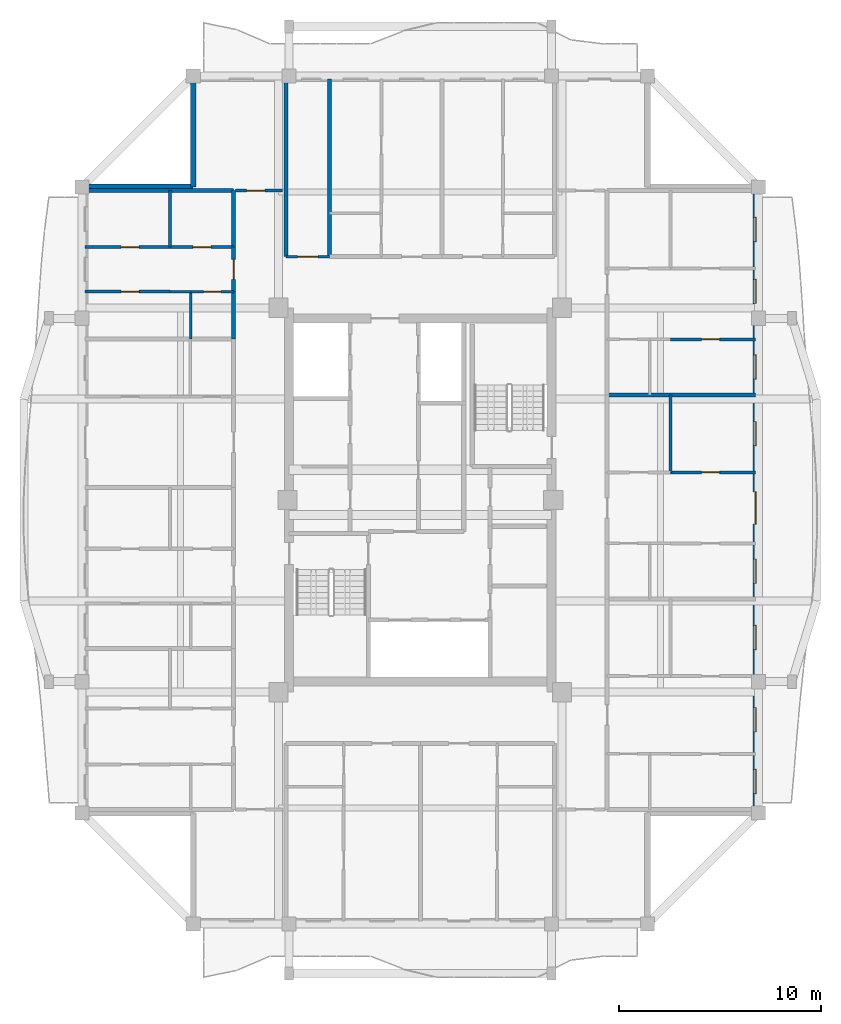
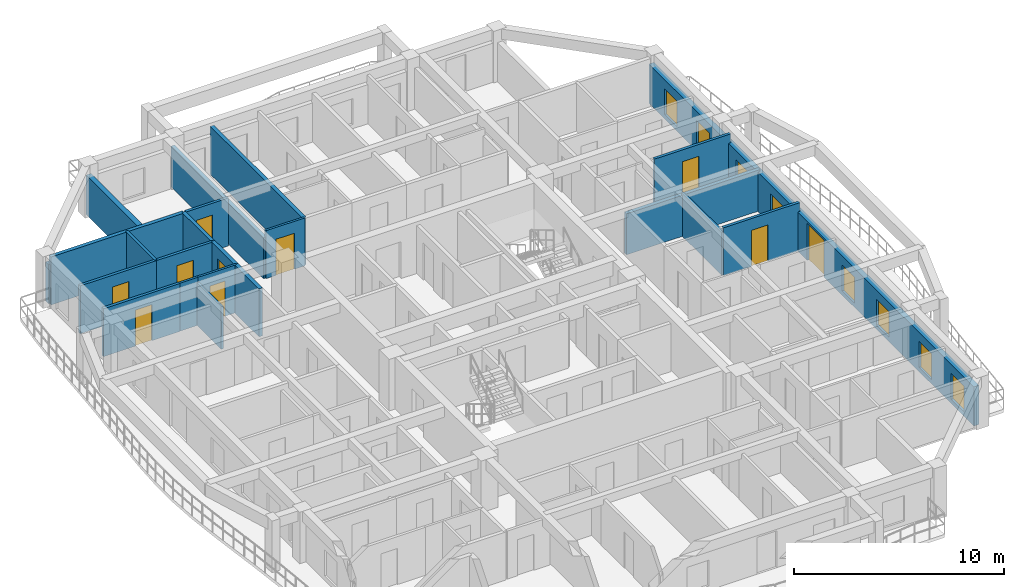
# One storey, part 6 of 14: 22 walls, 10 doors, 8 windows, 18 openings.
"""IFC4 building model written with IfcOpenShell, lengths in metres."""

from ifc_helpers import new_model, si_unit, direction, frame, frame_2d, origin, place, context, subcontext, project, spatial, rectangle, extrude, source, transform, mapped, material, layer, layer_set, type_object, element, fill, save


model = new_model("IFC4")

# Units and contexts
model_context = context("Model", 3, precision=1e-05, world=origin(), true_north=direction((0.0, 1.0)))
body_context = subcontext(model_context, "Body", "Model", "MODEL_VIEW")
ifc_project = project(units=[si_unit("LENGTHUNIT", "METRE"), si_unit("AREAUNIT", "SQUARE_METRE"), si_unit("VOLUMEUNIT", "CUBIC_METRE"), si_unit("PLANEANGLEUNIT", "RADIAN"), si_unit("MASSUNIT", "GRAM", prefix="KILO")], contexts=[model_context])

# Site, building, storey
site_placement = place(None, origin())
site = spatial("IfcSite", under=ifc_project, at=site_placement, CompositionType="ELEMENT")
building_placement = place(site_placement, origin())
building = spatial("IfcBuilding", under=site, at=building_placement, Name="Saelheon Loggia Tower", CompositionType="ELEMENT")
storey_placement = place(building_placement, frame((0.0, 0.0, 230.10009765625)))
storey = spatial("IfcBuildingStorey", under=building, at=storey_placement, Name="L71", CompositionType="ELEMENT", Elevation=230.10009765625)

# Wall, openings, windows, door
ifc_material_1 = material(Name="Architectural Precast Concrete C40/50", Category="concrete")
ifc_layer_1 = layer(ifc_material_1, 0.280029296875)
ifc_layer_set_1 = layer_set([ifc_layer_1], Name="Architectural Precast Concrete C40/50")
wall_type_1 = type_object("IfcWallType", Name="Wall_Ext_Loggia_280", PredefinedType="SOLIDWALL", material=ifc_layer_set_1)
wall_1_placement = place(storey_placement, frame((54.610107421875, 11.5, 0.0), z_axis=(0.0, 0.0, 1.0), x_axis=(0.0, 1.0, 0.0)))
wall_1 = element("IfcWall", 1, at=wall_1_placement, inside=storey, type_object=wall_type_1, Name="L71 East Loggia Inner Wall", PredefinedType="SOLIDWALL", context=body_context, shape_type="SweptSolid", body=[
    extrude(rectangle(XDim=31.0, YDim=0.280029296875, at=frame_2d((15.5, 0.0))), origin(), (0.0, 0.0, 1.0), 2.27978515625),
])
opening_1_placement = place(wall_1_placement, frame((0.9599609375, 0.0, 0.25)))
opening_1 = element("IfcOpeningElement", 2, at=opening_1_placement, cuts=wall_1, Name="Opening WN-03", PredefinedType="OPENING", context=body_context, shape_type="SweptSolid", body=[
    extrude(rectangle(XDim=1.199951171875, YDim=1.5, at=frame_2d((0.60009765625, 0.75))), frame((0.0, 0.152099609375, 0.0), z_axis=(0.0, -1.0, 0.0), x_axis=(1.0, 0.0, 0.0)), (0.0, 0.0, 1.0), 0.303955078125),
])
opening_2_placement = place(wall_1_placement, frame((4.02001953125, 0.0, 0.25)))
opening_2 = element("IfcOpeningElement", 3, at=opening_2_placement, cuts=wall_1, Name="Opening WN-03", PredefinedType="OPENING", context=body_context, shape_type="SweptSolid", body=[
    extrude(rectangle(XDim=1.199951171875, YDim=1.5, at=frame_2d((0.60009765625, 0.75))), frame((0.0, 0.152099609375, 0.0), z_axis=(0.0, -1.0, 0.0), x_axis=(1.0, 0.0, 0.0)), (0.0, 0.0, 1.0), 0.303955078125),
])
opening_3_placement = place(wall_1_placement, frame((8.0888671875, 0.0, 0.25)))
opening_3 = element("IfcOpeningElement", 4, at=opening_3_placement, cuts=wall_1, Name="Opening WN-03", PredefinedType="OPENING", context=body_context, shape_type="SweptSolid", body=[
    extrude(rectangle(XDim=1.199951171875, YDim=1.5, at=frame_2d((0.60009765625, 0.75))), frame((0.0, 0.152099609375, 0.0), z_axis=(0.0, -1.0, 0.0), x_axis=(1.0, 0.0, 0.0)), (0.0, 0.0, 1.0), 0.303955078125),
])
opening_4_placement = place(wall_1_placement, frame((11.37255859375, 0.0, 0.25)))
opening_4 = element("IfcOpeningElement", 5, at=opening_4_placement, cuts=wall_1, Name="Opening WN-03", PredefinedType="OPENING", context=body_context, shape_type="SweptSolid", body=[
    extrude(rectangle(XDim=1.199951171875, YDim=1.5, at=frame_2d((0.60009765625, 0.75))), frame((0.0, 0.152099609375, 0.0), z_axis=(0.0, -1.0, 0.0), x_axis=(1.0, 0.0, 0.0)), (0.0, 0.0, 1.0), 0.303955078125),
])
opening_5_placement = place(wall_1_placement, frame((15.906982421875, 0.0, 0.0), z_axis=(0.0, 0.0, 1.0), x_axis=(-1.0, 0.0, 0.0)))
opening_5 = element("IfcOpeningElement", 6, at=opening_5_placement, cuts=wall_1, Name="Opening DLG-1", PredefinedType="OPENING", context=body_context, shape_type="SweptSolid", body=[
    extrude(rectangle(XDim=1.60009765625, YDim=2.14990234375, at=frame_2d((0.800048828125, 1.074951171875))), frame((0.0, 0.152099609375, 0.0), z_axis=(0.0, -1.0, 0.0), x_axis=(1.0, 0.0, 0.0)), (0.0, 0.0, 1.0), 0.303955078125),
])
opening_6_placement = place(wall_1_placement, frame((18.1875, 0.0, 0.25)))
opening_6 = element("IfcOpeningElement", 7, at=opening_6_placement, cuts=wall_1, Name="Opening WN-03", PredefinedType="OPENING", context=body_context, shape_type="SweptSolid", body=[
    extrude(rectangle(XDim=1.199951171875, YDim=1.5, at=frame_2d((0.60009765625, 0.75))), frame((0.0, 0.152099609375, 0.0), z_axis=(0.0, -1.0, 0.0), x_axis=(1.0, 0.0, 0.0)), (0.0, 0.0, 1.0), 0.303955078125),
])
opening_7_placement = place(wall_1_placement, frame((21.48388671875, 0.0, 0.25)))
opening_7 = element("IfcOpeningElement", 8, at=opening_7_placement, cuts=wall_1, Name="Opening WN-03", PredefinedType="OPENING", context=body_context, shape_type="SweptSolid", body=[
    extrude(rectangle(XDim=1.199951171875, YDim=1.5, at=frame_2d((0.60009765625, 0.75))), frame((0.0, 0.152099609375, 0.0), z_axis=(0.0, -1.0, 0.0), x_axis=(1.0, 0.0, 0.0)), (0.0, 0.0, 1.0), 0.303955078125),
])
opening_8_placement = place(wall_1_placement, frame((25.23388671875, 0.0, 0.25)))
opening_8 = element("IfcOpeningElement", 9, at=opening_8_placement, cuts=wall_1, Name="Opening WN-03", PredefinedType="OPENING", context=body_context, shape_type="SweptSolid", body=[
    extrude(rectangle(XDim=1.199951171875, YDim=1.5, at=frame_2d((0.60009765625, 0.75))), frame((0.0, 0.152099609375, 0.0), z_axis=(0.0, -1.0, 0.0), x_axis=(1.0, 0.0, 0.0)), (0.0, 0.0, 1.0), 0.303955078125),
])
opening_9_placement = place(wall_1_placement, frame((28.293701171875, 0.0, 0.25)))
opening_9 = element("IfcOpeningElement", 10, at=opening_9_placement, cuts=wall_1, Name="Opening WN-03", PredefinedType="OPENING", context=body_context, shape_type="SweptSolid", body=[
    extrude(rectangle(XDim=1.199951171875, YDim=1.5, at=frame_2d((0.60009765625, 0.75))), frame((0.0, 0.152099609375, 0.0), z_axis=(0.0, -1.0, 0.0), x_axis=(1.0, 0.0, 0.0)), (0.0, 0.0, 1.0), 0.303955078125),
])
ifc_material_2 = material(Name="Thermal-Break Aluminium and Triple Low-E Glass", Category="aluminium")
window_type = type_object("IfcWindowType", Name="Win_Bedroom_1200x1500", PartitioningType="SINGLE_PANEL", PredefinedType="WINDOW", material=ifc_material_2)
shared_shape_1 = source(origin(), body_context, "Body", "SweptSolid", [
    extrude(rectangle(XDim=1.199951171875, YDim=1.5, at=frame_2d((0.60009765625, 0.75))), frame((0.0, 0.030029296875, 0.0), z_axis=(0.0, -1.0, 0.0), x_axis=(1.0, 0.0, 0.0)), (0.0, 0.0, 1.0), 0.06005859375),
])
window_1_placement = place(opening_1_placement, origin())
window_1 = element("IfcWindow", 11, at=window_1_placement, inside=storey, type_object=window_type, Name="L71 E Dwelling Window 1", OverallHeight=1.5, OverallWidth=1.199951171875, PartitioningType="SINGLE_PANEL", PredefinedType="WINDOW", context=body_context, shape_type="MappedRepresentation", body=[
    mapped(shared_shape_1, transform((0.0, 0.0, 0.0), scale=1.0)),
])
fill(opening_1, window_1)
window_2_placement = place(opening_2_placement, origin())
window_2 = element("IfcWindow", 12, at=window_2_placement, inside=storey, type_object=window_type, Name="L71 E Dwelling Window 2", OverallHeight=1.5, OverallWidth=1.199951171875, PartitioningType="SINGLE_PANEL", PredefinedType="WINDOW", context=body_context, shape_type="MappedRepresentation", body=[
    mapped(shared_shape_1, transform((0.0, 0.0, 0.0), scale=1.0)),
])
fill(opening_2, window_2)
window_3_placement = place(opening_3_placement, origin())
window_3 = element("IfcWindow", 13, at=window_3_placement, inside=storey, type_object=window_type, Name="L71 E Dwelling Window 3", OverallHeight=1.5, OverallWidth=1.199951171875, PartitioningType="SINGLE_PANEL", PredefinedType="WINDOW", context=body_context, shape_type="MappedRepresentation", body=[
    mapped(shared_shape_1, transform((0.0, 0.0, 0.0), scale=1.0)),
])
fill(opening_3, window_3)
window_4_placement = place(opening_4_placement, origin())
window_4 = element("IfcWindow", 14, at=window_4_placement, inside=storey, type_object=window_type, Name="L71 E Dwelling Window 4", OverallHeight=1.5, OverallWidth=1.199951171875, PartitioningType="SINGLE_PANEL", PredefinedType="WINDOW", context=body_context, shape_type="MappedRepresentation", body=[
    mapped(shared_shape_1, transform((0.0, 0.0, 0.0), scale=1.0)),
])
fill(opening_4, window_4)
window_5_placement = place(opening_6_placement, origin())
window_5 = element("IfcWindow", 15, at=window_5_placement, inside=storey, type_object=window_type, Name="L71 E Dwelling Window 6", OverallHeight=1.5, OverallWidth=1.199951171875, PartitioningType="SINGLE_PANEL", PredefinedType="WINDOW", context=body_context, shape_type="MappedRepresentation", body=[
    mapped(shared_shape_1, transform((0.0, 0.0, 0.0), scale=1.0)),
])
fill(opening_6, window_5)
window_6_placement = place(opening_7_placement, origin())
window_6 = element("IfcWindow", 16, at=window_6_placement, inside=storey, type_object=window_type, Name="L71 E Dwelling Window 7", OverallHeight=1.5, OverallWidth=1.199951171875, PartitioningType="SINGLE_PANEL", PredefinedType="WINDOW", context=body_context, shape_type="MappedRepresentation", body=[
    mapped(shared_shape_1, transform((0.0, 0.0, 0.0), scale=1.0)),
])
fill(opening_7, window_6)
window_7_placement = place(opening_8_placement, origin())
window_7 = element("IfcWindow", 17, at=window_7_placement, inside=storey, type_object=window_type, Name="L71 E Dwelling Window 8", OverallHeight=1.5, OverallWidth=1.199951171875, PartitioningType="SINGLE_PANEL", PredefinedType="WINDOW", context=body_context, shape_type="MappedRepresentation", body=[
    mapped(shared_shape_1, transform((0.0, 0.0, 0.0), scale=1.0)),
])
fill(opening_8, window_7)
window_8_placement = place(opening_9_placement, origin())
window_8 = element("IfcWindow", 18, at=window_8_placement, inside=storey, type_object=window_type, Name="L71 E Dwelling Window 9", OverallHeight=1.5, OverallWidth=1.199951171875, PartitioningType="SINGLE_PANEL", PredefinedType="WINDOW", context=body_context, shape_type="MappedRepresentation", body=[
    mapped(shared_shape_1, transform((0.0, 0.0, 0.0), scale=1.0)),
])
fill(opening_9, window_8)
ifc_material_3 = material(Name="Thermal-Break Aluminium Sliding Glazed Door", Category="aluminium")
door_type_1 = type_object("IfcDoorType", Name="Door_LoggiaSlide_1600", OperationType="SLIDING_TO_LEFT", PredefinedType="DOOR", material=ifc_material_3)
shared_shape_2 = source(origin(), body_context, "Body", "SweptSolid", [
    extrude(rectangle(XDim=1.60009765625, YDim=2.14990234375, at=frame_2d((0.800048828125, 1.074951171875))), frame((0.0, 0.02490234375, 0.0), z_axis=(0.0, -1.0, 0.0), x_axis=(1.0, 0.0, 0.0)), (0.0, 0.0, 1.0), 0.050048828125),
])
door_1_placement = place(opening_5_placement, origin())
door_1 = element("IfcDoor", 19, at=door_1_placement, inside=storey, type_object=door_type_1, Name="L71 E Loggia Access Door", OperationType="SLIDING_TO_LEFT", OverallHeight=2.14990234375, OverallWidth=1.60009765625, PredefinedType="DOOR", context=body_context, shape_type="MappedRepresentation", body=[
    mapped(shared_shape_2, transform((0.0, 0.0, 0.0), scale=1.0)),
])
fill(opening_5, door_1)

# Walls
for number, where, z_axis, x_axis, name in (
    (20, (26.75, 42.5, 0.0), (0.0, 0.0, 1.0), (0.0, 1.0, 0.0), "L71 Corner Notch Precast Wall NW1"),
    (21, (21.330078125, 42.5, 0.0), (0.0, 0.0, 1.0), (1.0, 0.0, 0.0), "L71 Corner Notch Precast Wall NW2"),
):
    element("IfcWall", number, at=place(storey_placement, frame(where, z_axis=z_axis, x_axis=x_axis)), inside=storey, type_object=wall_type_1, Name=name, PredefinedType="SOLIDWALL", context=body_context, shape_type="SweptSolid", body=[
        extrude(rectangle(XDim=5.419921875, YDim=0.280029296875, at=frame_2d((2.7099609375, 0.0))), origin(), (0.0, 0.0, 1.0), 2.27978515625),
    ])

# Wall, opening, door
ifc_material_4 = material(Name="Lightweight Autoclaved Aerated Concrete Block and Acoustic Gypsum", Category="concrete")
ifc_layer_2 = layer(ifc_material_4, 0.14990234375)
ifc_layer_set_2 = layer_set([ifc_layer_2], Name="Lightweight Autoclaved Aerated Concrete Block and Acoustic Gypsum")
wall_type_2 = type_object("IfcWallType", Name="Wall_Part_150", PredefinedType="PARTITIONING", material=ifc_layer_set_2)
wall_2_placement = place(storey_placement, frame((28.85009765625, 42.320068359375, 0.0), z_axis=(0.0, 0.0, 1.0), x_axis=(1.0, 0.0, 0.0)))
wall_2 = element("IfcWall", 22, at=wall_2_placement, inside=storey, type_object=wall_type_2, Name="PW-L71-CNW-H", PredefinedType="PARTITIONING", context=body_context, shape_type="SweptSolid", body=[
    extrude(rectangle(XDim=2.329833984375, YDim=0.14990234375, at=frame_2d((1.1650390625, 0.0))), origin(), (0.0, 0.0, 1.0), 2.789794921875),
])
opening_10_placement = place(wall_2_placement, frame((0.550048828125, 0.0, 0.0)))
opening_10 = element("IfcOpeningElement", 23, at=opening_10_placement, cuts=wall_2, Name="Opening D-IN2", PredefinedType="OPENING", context=body_context, shape_type="SweptSolid", body=[
    extrude(rectangle(XDim=0.89990234375, YDim=2.10009765625, at=frame_2d((0.449951171875, 1.050048828125))), frame((0.0, 0.0869140625, 0.0), z_axis=(0.0, -1.0, 0.0), x_axis=(1.0, 0.0, 0.0)), (0.0, 0.0, 1.0), 0.173828125),
])
ifc_material_5 = material(Name="Engineered Oak Flush Door", Category="timber")
door_type_2 = type_object("IfcDoorType", Name="Door_Int_900", OperationType="NOTDEFINED", PredefinedType="DOOR", material=ifc_material_5)
shared_shape_3 = source(origin(), body_context, "Body", "SweptSolid", [
    extrude(rectangle(XDim=0.89990234375, YDim=2.10009765625, at=frame_2d((0.449951171875, 1.050048828125))), frame((0.0, 0.02490234375, 0.0), z_axis=(0.0, -1.0, 0.0), x_axis=(1.0, 0.0, 0.0)), (0.0, 0.0, 1.0), 0.050048828125),
])
door_2_placement = place(opening_10_placement, origin())
door_2 = element("IfcDoor", 24, at=door_2_placement, inside=storey, type_object=door_type_2, Name="L71 Corner Home Office NW Door", OperationType="SINGLE_SWING_RIGHT", OverallHeight=2.10009765625, OverallWidth=0.89990234375, PredefinedType="DOOR", context=body_context, shape_type="MappedRepresentation", body=[
    mapped(shared_shape_3, transform((0.0, 0.0, 0.0), scale=1.0)),
])
fill(opening_10, door_2)

# Wall
wall_3_placement = place(storey_placement, frame((25.610107421875, 39.525634765625, 0.0), z_axis=(0.0, 0.0, 1.0), x_axis=(0.0, 1.0, 0.0)))
element("IfcWall", 25, at=wall_3_placement, inside=storey, type_object=wall_type_2, Name="L71 W Partition V36", PredefinedType="PARTITIONING", context=body_context, shape_type="SweptSolid", body=[
    extrude(rectangle(XDim=2.79443359375, YDim=0.14990234375, at=frame_2d((1.397216796875, 0.0))), origin(), (0.0, 0.0, 1.0), 2.789794921875),
])

# Wall, opening, door
wall_4_placement = place(storey_placement, frame((25.610107421875, 37.320068359375, 0.0), z_axis=(0.0, 0.0, 1.0), x_axis=(-1.0, 0.0, 0.0)))
wall_4 = element("IfcWall", 26, at=wall_4_placement, inside=storey, type_object=wall_type_2, Name="L71 W Partition U39", PredefinedType="PARTITIONING", context=body_context, shape_type="SweptSolid", body=[
    extrude(rectangle(XDim=4.210205078125, YDim=0.14990234375, at=frame_2d((2.10498046875, 0.0))), origin(), (0.0, 0.0, 1.0), 2.789794921875),
])
opening_11_placement = place(wall_4_placement, frame((1.537109375, 0.0, 0.0)))
opening_11 = element("IfcOpeningElement", 27, at=opening_11_placement, cuts=wall_4, Name="Opening D-IN2", PredefinedType="OPENING", context=body_context, shape_type="SweptSolid", body=[
    extrude(rectangle(XDim=0.89990234375, YDim=2.10009765625, at=frame_2d((0.449951171875, 1.050048828125))), frame((0.0, 0.0869140625, 0.0), z_axis=(0.0, -1.0, 0.0), x_axis=(1.0, 0.0, 0.0)), (0.0, 0.0, 1.0), 0.173828125),
])
door_3_placement = place(opening_11_placement, origin())
door_3 = element("IfcDoor", 28, at=door_3_placement, inside=storey, type_object=door_type_2, Name="Unit U08 Kitchen Door", OperationType="SINGLE_SWING_LEFT", OverallHeight=2.10009765625, OverallWidth=0.89990234375, PredefinedType="DOOR", context=body_context, shape_type="MappedRepresentation", body=[
    mapped(shared_shape_3, transform((0.0, 0.0, 0.0), scale=1.0)),
])
fill(opening_11, door_3)

wall_5_placement = place(storey_placement, frame((28.75, 39.525634765625, 0.0), z_axis=(0.0, 0.0, 1.0), x_axis=(-1.0, 0.0, 0.0)))
wall_5 = element("IfcWall", 29, at=wall_5_placement, inside=storey, type_object=wall_type_2, Name="L71 W Partition U40", PredefinedType="PARTITIONING", context=body_context, shape_type="SweptSolid", body=[
    extrude(rectangle(XDim=3.139892578125, YDim=0.14990234375, at=frame_2d((1.56982421875, 0.0))), origin(), (0.0, 0.0, 1.0), 2.789794921875),
])
opening_12_placement = place(wall_5_placement, frame((1.1201171875, 0.0, 0.0)))
opening_12 = element("IfcOpeningElement", 30, at=opening_12_placement, cuts=wall_5, Name="Opening D-IN2", PredefinedType="OPENING", context=body_context, shape_type="SweptSolid", body=[
    extrude(rectangle(XDim=0.89990234375, YDim=2.10009765625, at=frame_2d((0.449951171875, 1.050048828125))), frame((0.0, 0.0869140625, 0.0), z_axis=(0.0, -1.0, 0.0), x_axis=(1.0, 0.0, 0.0)), (0.0, 0.0, 1.0), 0.173828125),
])
door_4_placement = place(opening_12_placement, origin())
door_4 = element("IfcDoor", 31, at=door_4_placement, inside=storey, type_object=door_type_2, Name="Unit U08 Dressing Closet Door", OperationType="SINGLE_SWING_RIGHT", OverallHeight=2.10009765625, OverallWidth=0.89990234375, PredefinedType="DOOR", context=body_context, shape_type="MappedRepresentation", body=[
    mapped(shared_shape_3, transform((0.0, 0.0, 0.0), scale=1.0)),
])
fill(opening_12, door_4)

wall_6_placement = place(storey_placement, frame((25.610107421875, 39.525634765625, 0.0), z_axis=(0.0, 0.0, 1.0), x_axis=(-1.0, 0.0, 0.0)))
wall_6 = element("IfcWall", 32, at=wall_6_placement, inside=storey, type_object=wall_type_2, Name="L71 W Partition U41", PredefinedType="PARTITIONING", context=body_context, shape_type="SweptSolid", body=[
    extrude(rectangle(XDim=4.210205078125, YDim=0.14990234375, at=frame_2d((2.10498046875, 0.0))), origin(), (0.0, 0.0, 1.0), 2.789794921875),
])
opening_13_placement = place(wall_6_placement, frame((1.537109375, 0.0, 0.0)))
opening_13 = element("IfcOpeningElement", 33, at=opening_13_placement, cuts=wall_6, Name="Opening D-IN2", PredefinedType="OPENING", context=body_context, shape_type="SweptSolid", body=[
    extrude(rectangle(XDim=0.89990234375, YDim=2.10009765625, at=frame_2d((0.449951171875, 1.050048828125))), frame((0.0, 0.0869140625, 0.0), z_axis=(0.0, -1.0, 0.0), x_axis=(1.0, 0.0, 0.0)), (0.0, 0.0, 1.0), 0.173828125),
])
door_5_placement = place(opening_13_placement, origin())
door_5 = element("IfcDoor", 34, at=door_5_placement, inside=storey, type_object=door_type_2, Name="Unit U08 Bedroom 1 Door", OperationType="SINGLE_SWING_LEFT", OverallHeight=2.10009765625, OverallWidth=0.89990234375, PredefinedType="DOOR", context=body_context, shape_type="MappedRepresentation", body=[
    mapped(shared_shape_3, transform((0.0, 0.0, 0.0), scale=1.0)),
])
fill(opening_13, door_5)

# Wall
wall_7_placement = place(storey_placement, frame((50.389892578125, 28.366455078125, 0.0), z_axis=(0.0, 0.0, 1.0), x_axis=(0.0, 1.0, 0.0)))
element("IfcWall", 35, at=wall_7_placement, inside=storey, type_object=wall_type_2, Name="L71 E Partition V18", PredefinedType="PARTITIONING", context=body_context, shape_type="SweptSolid", body=[
    extrude(rectangle(XDim=3.84228515625, YDim=0.14990234375, at=frame_2d((1.921142578125, 0.0))), origin(), (0.0, 0.0, 1.0), 2.489990234375),
])

# Wall, opening, door
wall_8_placement = place(storey_placement, frame((50.389892578125, 28.366455078125, 0.0), z_axis=(0.0, 0.0, 1.0), x_axis=(1.0, 0.0, 0.0)))
wall_8 = element("IfcWall", 36, at=wall_8_placement, inside=storey, type_object=wall_type_2, Name="L71 E Partition U23", PredefinedType="PARTITIONING", context=body_context, shape_type="SweptSolid", body=[
    extrude(rectangle(XDim=4.210205078125, YDim=0.14990234375, at=frame_2d((2.10498046875, 0.0))), origin(), (0.0, 0.0, 1.0), 2.789794921875),
])
opening_14_placement = place(wall_8_placement, frame((1.537109375, 0.0, 0.0)))
opening_14 = element("IfcOpeningElement", 37, at=opening_14_placement, cuts=wall_8, Name="Opening D-IN2", PredefinedType="OPENING", context=body_context, shape_type="SweptSolid", body=[
    extrude(rectangle(XDim=0.89990234375, YDim=2.10009765625, at=frame_2d((0.449951171875, 1.050048828125))), frame((0.0, 0.0869140625, 0.0), z_axis=(0.0, -1.0, 0.0), x_axis=(1.0, 0.0, 0.0)), (0.0, 0.0, 1.0), 0.173828125),
])
door_6_placement = place(opening_14_placement, origin())
door_6 = element("IfcDoor", 38, at=door_6_placement, inside=storey, type_object=door_type_2, Name="Unit U10 Bedroom 1 Door", OperationType="SINGLE_SWING_LEFT", OverallHeight=2.10009765625, OverallWidth=0.89990234375, PredefinedType="DOOR", context=body_context, shape_type="MappedRepresentation", body=[
    mapped(shared_shape_3, transform((0.0, 0.0, 0.0), scale=1.0)),
])
fill(opening_14, door_6)

wall_9_placement = place(storey_placement, frame((50.389892578125, 34.958740234375, 0.0), z_axis=(0.0, 0.0, 1.0), x_axis=(1.0, 0.0, 0.0)))
wall_9 = element("IfcWall", 39, at=wall_9_placement, inside=storey, type_object=wall_type_2, Name="L71 E Partition U32", PredefinedType="PARTITIONING", context=body_context, shape_type="SweptSolid", body=[
    extrude(rectangle(XDim=4.210205078125, YDim=0.14990234375, at=frame_2d((2.10498046875, 0.0))), origin(), (0.0, 0.0, 1.0), 2.789794921875),
])
opening_15_placement = place(wall_9_placement, frame((1.537109375, 0.0, 0.0)))
opening_15 = element("IfcOpeningElement", 40, at=opening_15_placement, cuts=wall_9, Name="Opening D-IN2", PredefinedType="OPENING", context=body_context, shape_type="SweptSolid", body=[
    extrude(rectangle(XDim=0.89990234375, YDim=2.10009765625, at=frame_2d((0.449951171875, 1.050048828125))), frame((0.0, 0.0869140625, 0.0), z_axis=(0.0, -1.0, 0.0), x_axis=(1.0, 0.0, 0.0)), (0.0, 0.0, 1.0), 0.173828125),
])
door_7_placement = place(opening_15_placement, origin())
door_7 = element("IfcDoor", 41, at=door_7_placement, inside=storey, type_object=door_type_2, Name="Unit U11 Kitchen Door", OperationType="SINGLE_SWING_RIGHT", OverallHeight=2.10009765625, OverallWidth=0.89990234375, PredefinedType="DOOR", context=body_context, shape_type="MappedRepresentation", body=[
    mapped(shared_shape_3, transform((0.0, 0.0, 0.0), scale=1.0)),
])
fill(opening_15, door_7)

# Walls
ifc_material_6 = material(Name="Double Acoustic Stud and Fireboard Partition", Category="gypsum")
ifc_layer_3 = layer(ifc_material_6, 0.199951171875)
ifc_layer_set_3 = layer_set([ifc_layer_3], Name="Double Acoustic Stud and Fireboard Partition")
wall_type_3 = type_object("IfcWallType", Name="Wall_Party_200", PredefinedType="PARTITIONING", material=ifc_layer_set_3)
wall_10_placement = place(storey_placement, frame((31.35009765625, 39.050048828125, 0.0), z_axis=(0.0, 0.0, 1.0), x_axis=(0.0, 1.0, 0.0)))
element("IfcWall", 42, at=wall_10_placement, inside=storey, type_object=wall_type_3, Name="L71 N Partition U01", PredefinedType="PARTITIONING", context=body_context, shape_type="SweptSolid", body=[
    extrude(rectangle(XDim=8.800048828125, YDim=0.199951171875, at=frame_2d((4.39990234375, 0.0))), origin(), (0.0, 0.0, 1.0), 2.389892578125),
])
wall_11_placement = place(storey_placement, frame((33.5, 39.050048828125, 0.0), z_axis=(0.0, 0.0, 1.0), x_axis=(0.0, 1.0, 0.0)))
element("IfcWall", 43, at=wall_11_placement, inside=storey, type_object=wall_type_3, Name="L71 N Partition U03", PredefinedType="PARTITIONING", context=body_context, shape_type="SweptSolid", body=[
    extrude(rectangle(XDim=8.800048828125, YDim=0.199951171875, at=frame_2d((4.39990234375, 0.0))), origin(), (0.0, 0.0, 1.0), 2.789794921875),
])
wall_12_placement = place(storey_placement, frame((28.75, 42.320068359375, 0.0), z_axis=(0.0, 0.0, 1.0), x_axis=(-1.0, 0.0, 0.0)))
element("IfcWall", 44, at=wall_12_placement, inside=storey, type_object=wall_type_3, Name="L71 W Partition U02", PredefinedType="PARTITIONING", context=body_context, shape_type="SweptSolid", body=[
    extrude(rectangle(XDim=7.35009765625, YDim=0.199951171875, at=frame_2d((3.675048828125, 0.0))), origin(), (0.0, 0.0, 1.0), 2.789794921875),
])
wall_13_placement = place(storey_placement, frame((28.75, 34.96630859375, 0.0), z_axis=(0.0, 0.0, 1.0), x_axis=(0.0, 1.0, 0.0)))
element("IfcWall", 45, at=wall_13_placement, inside=storey, type_object=wall_type_3, Name="L71 W Partition V32", PredefinedType="PARTITIONING", context=body_context, shape_type="SweptSolid", body=[
    extrude(rectangle(XDim=2.353759765625, YDim=0.199951171875, at=frame_2d((1.1767578125, 0.0))), origin(), (0.0, 0.0, 1.0), 2.789794921875),
])

# Wall, opening, door
wall_14_placement = place(storey_placement, frame((28.75, 37.320068359375, 0.0), z_axis=(0.0, 0.0, 1.0), x_axis=(0.0, 1.0, 0.0)))
wall_14 = element("IfcWall", 46, at=wall_14_placement, inside=storey, type_object=wall_type_3, Name="L71 W Partition V33", PredefinedType="PARTITIONING", context=body_context, shape_type="SweptSolid", body=[
    extrude(rectangle(XDim=2.20556640625, YDim=0.199951171875, at=frame_2d((1.102783203125, 0.0))), origin(), (0.0, 0.0, 1.0), 2.789794921875),
])
opening_16_placement = place(wall_14_placement, frame((0.602783203125, 0.0, 0.0)))
opening_16 = element("IfcOpeningElement", 47, at=opening_16_placement, cuts=wall_14, Name="Opening D-FD1", PredefinedType="OPENING", context=body_context, shape_type="SweptSolid", body=[
    extrude(rectangle(XDim=1.0, YDim=2.14990234375, at=frame_2d((0.5, 1.074951171875))), frame((0.0, 0.112060546875, 0.0), z_axis=(0.0, -1.0, 0.0), x_axis=(1.0, 0.0, 0.0)), (0.0, 0.0, 1.0), 0.223876953125),
])
ifc_material_7 = material(Name="Fire-Rated Engineered Timber Entrance Door", Category="wood")
door_type_3 = type_object("IfcDoorType", Name="Door_Flat_FD30S", OperationType="NOTDEFINED", PredefinedType="DOOR", material=ifc_material_7)
shared_shape_4 = source(origin(), body_context, "Body", "SweptSolid", [
    extrude(rectangle(XDim=1.0, YDim=2.14990234375, at=frame_2d((0.5, 1.074951171875))), frame((0.0, 0.02490234375, 0.0), z_axis=(0.0, -1.0, 0.0), x_axis=(1.0, 0.0, 0.0)), (0.0, 0.0, 1.0), 0.050048828125),
])
door_8_placement = place(opening_16_placement, origin())
door_8 = element("IfcDoor", 48, at=door_8_placement, inside=storey, type_object=door_type_3, Name="Unit U08 Entrance Door", OperationType="SINGLE_SWING_LEFT", OverallHeight=2.14990234375, OverallWidth=1.0, PredefinedType="DOOR", context=body_context, shape_type="MappedRepresentation", body=[
    mapped(shared_shape_4, transform((0.0, 0.0, 0.0), scale=1.0)),
])
fill(opening_16, door_8)

# Walls
wall_15_placement = place(storey_placement, frame((28.75, 39.525634765625, 0.0), z_axis=(0.0, 0.0, 1.0), x_axis=(0.0, 1.0, 0.0)))
element("IfcWall", 49, at=wall_15_placement, inside=storey, type_object=wall_type_3, Name="L71 W Partition V34", PredefinedType="PARTITIONING", context=body_context, shape_type="SweptSolid", body=[
    extrude(rectangle(XDim=2.79443359375, YDim=0.199951171875, at=frame_2d((1.397216796875, 0.0))), origin(), (0.0, 0.0, 1.0), 2.789794921875),
])
wall_16_placement = place(storey_placement, frame((47.25, 32.208740234375, 0.0), z_axis=(0.0, 0.0, 1.0), x_axis=(1.0, 0.0, 0.0)))
element("IfcWall", 50, at=wall_16_placement, inside=storey, type_object=wall_type_3, Name="L71 E Partition U24", PredefinedType="PARTITIONING", context=body_context, shape_type="SweptSolid", body=[
    extrude(rectangle(XDim=7.35009765625, YDim=0.199951171875, at=frame_2d((3.675048828125, 0.0))), origin(), (0.0, 0.0, 1.0), 2.389892578125),
])

# Wall, opening, door
ifc_material_8 = material(Name="Moisture-Resistant Cement Board Partition", Category="gypsum")
ifc_layer_4 = layer(ifc_material_8, 0.1201171875)
ifc_layer_set_4 = layer_set([ifc_layer_4], Name="Moisture-Resistant Cement Board Partition")
wall_type_4 = type_object("IfcWallType", Name="Wall_WetPart_120", PredefinedType="PARTITIONING", material=ifc_layer_set_4)
wall_17_placement = place(storey_placement, frame((31.35009765625, 39.050048828125, 0.0), z_axis=(0.0, 0.0, 1.0), x_axis=(1.0, 0.0, 0.0)))
wall_17 = element("IfcWall", 51, at=wall_17_placement, inside=storey, type_object=wall_type_4, Name="L71 N Partition V04", PredefinedType="PARTITIONING", context=body_context, shape_type="SweptSolid", body=[
    extrude(rectangle(XDim=2.14990234375, YDim=0.1201171875, at=frame_2d((1.074951171875, 0.0))), origin(), (0.0, 0.0, 1.0), 2.789794921875),
])
opening_17_placement = place(wall_17_placement, frame((0.574951171875, 0.0, 0.0)))
opening_17 = element("IfcOpeningElement", 52, at=opening_17_placement, cuts=wall_17, Name="Opening D-AC1", PredefinedType="OPENING", context=body_context, shape_type="SweptSolid", body=[
    extrude(rectangle(XDim=1.0, YDim=2.10009765625, at=frame_2d((0.5, 1.050048828125))), frame((0.0, 0.072021484375, 0.0), z_axis=(0.0, -1.0, 0.0), x_axis=(1.0, 0.0, 0.0)), (0.0, 0.0, 1.0), 0.14404296875),
])
ifc_material_9 = material(Name="Accessible Laminate Flush Door", Category="timber")
door_type_4 = type_object("IfcDoorType", Name="Door_Acc_1000", OperationType="NOTDEFINED", PredefinedType="DOOR", material=ifc_material_9)
shared_shape_5 = source(origin(), body_context, "Body", "SweptSolid", [
    extrude(rectangle(XDim=1.0, YDim=2.10009765625, at=frame_2d((0.5, 1.050048828125))), frame((0.0, 0.02490234375, 0.0), z_axis=(0.0, -1.0, 0.0), x_axis=(1.0, 0.0, 0.0)), (0.0, 0.0, 1.0), 0.050048828125),
])
door_9_placement = place(opening_17_placement, origin())
door_9 = element("IfcDoor", 53, at=door_9_placement, inside=storey, type_object=door_type_4, Name="L71 Floor Accessible WC Door", OperationType="SINGLE_SWING_LEFT", OverallHeight=2.10009765625, OverallWidth=1.0, PredefinedType="DOOR", context=body_context, shape_type="MappedRepresentation", body=[
    mapped(shared_shape_5, transform((0.0, 0.0, 0.0), scale=1.0)),
])
fill(opening_17, door_9)

# Wall
wall_18_placement = place(storey_placement, frame((26.6298828125, 34.96630859375, 0.0), z_axis=(0.0, 0.0, 1.0), x_axis=(0.0, 1.0, 0.0)))
element("IfcWall", 54, at=wall_18_placement, inside=storey, type_object=wall_type_4, Name="L71 W Partition V35", PredefinedType="PARTITIONING", context=body_context, shape_type="SweptSolid", body=[
    extrude(rectangle(XDim=2.353759765625, YDim=0.1201171875, at=frame_2d((1.1767578125, 0.0))), origin(), (0.0, 0.0, 1.0), 2.489990234375),
])

# Wall, opening, door
wall_19_placement = place(storey_placement, frame((28.75, 37.320068359375, 0.0), z_axis=(0.0, 0.0, 1.0), x_axis=(-1.0, 0.0, 0.0)))
wall_19 = element("IfcWall", 55, at=wall_19_placement, inside=storey, type_object=wall_type_4, Name="L71 W Partition U37", PredefinedType="PARTITIONING", context=body_context, shape_type="SweptSolid", body=[
    extrude(rectangle(XDim=2.1201171875, YDim=0.1201171875, at=frame_2d((1.06005859375, 0.0))), origin(), (0.0, 0.0, 1.0), 2.789794921875),
])
opening_18_placement = place(wall_19_placement, frame((0.635009765625, 0.0, 0.0)))
opening_18 = element("IfcOpeningElement", 56, at=opening_18_placement, cuts=wall_19, Name="Opening D-BT1", PredefinedType="OPENING", context=body_context, shape_type="SweptSolid", body=[
    extrude(rectangle(XDim=0.85009765625, YDim=2.050048828125, at=frame_2d((0.425048828125, 1.02490234375))), frame((0.0, 0.072021484375, 0.0), z_axis=(0.0, -1.0, 0.0), x_axis=(1.0, 0.0, 0.0)), (0.0, 0.0, 1.0), 0.14404296875),
])
ifc_material_10 = material(Name="Moisture-Resistant Laminate Timber Door", Category="wood")
door_type_5 = type_object("IfcDoorType", Name="Door_Bath_850", OperationType="NOTDEFINED", PredefinedType="DOOR", material=ifc_material_10)
shared_shape_6 = source(origin(), body_context, "Body", "SweptSolid", [
    extrude(rectangle(XDim=0.85009765625, YDim=2.050048828125, at=frame_2d((0.425048828125, 1.02490234375))), frame((0.0, 0.02490234375, 0.0), z_axis=(0.0, -1.0, 0.0), x_axis=(1.0, 0.0, 0.0)), (0.0, 0.0, 1.0), 0.050048828125),
])
door_10_placement = place(opening_18_placement, origin())
door_10 = element("IfcDoor", 57, at=door_10_placement, inside=storey, type_object=door_type_5, Name="Unit U08 Bathroom Door", OperationType="SINGLE_SWING_RIGHT", OverallHeight=2.050048828125, OverallWidth=0.85009765625, PredefinedType="DOOR", context=body_context, shape_type="MappedRepresentation", body=[
    mapped(shared_shape_6, transform((0.0, 0.0, 0.0), scale=1.0)),
])
fill(opening_18, door_10)

# Wall
wall_20_placement = place(storey_placement, frame((26.6298828125, 37.320068359375, 0.0), z_axis=(0.0, 0.0, 1.0), x_axis=(-1.0, 0.0, 0.0)))
element("IfcWall", 58, at=wall_20_placement, inside=storey, type_object=wall_type_4, Name="L71 W Partition U38", PredefinedType="PARTITIONING", context=body_context, shape_type="SweptSolid", body=[
    extrude(rectangle(XDim=1.019775390625, YDim=0.1201171875, at=frame_2d((0.509765625, 0.0))), origin(), (0.0, 0.0, 1.0), 2.789794921875),
])

save(model, "model.ifc")
